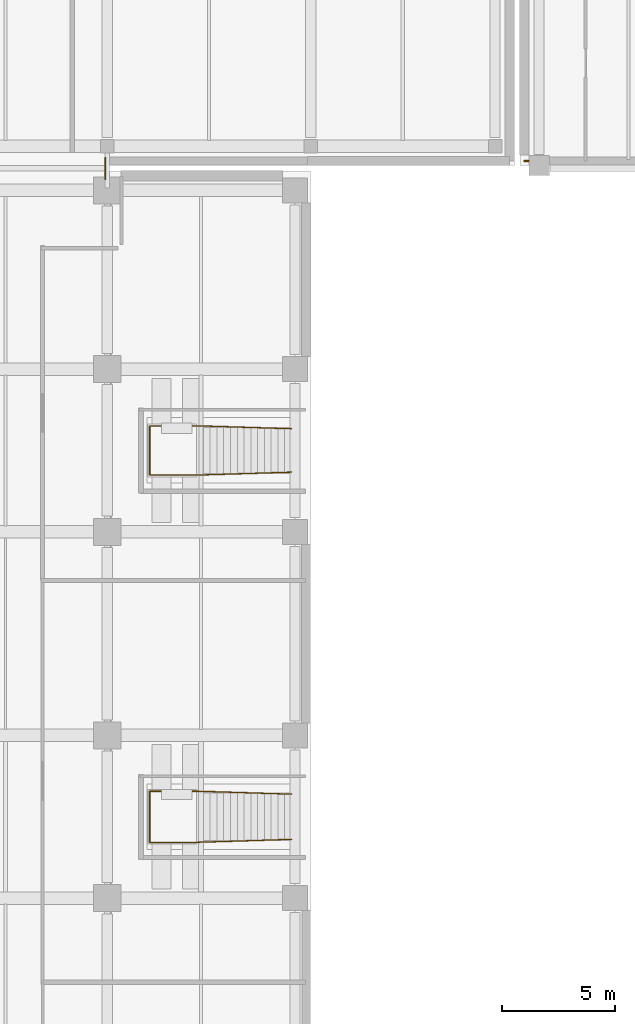
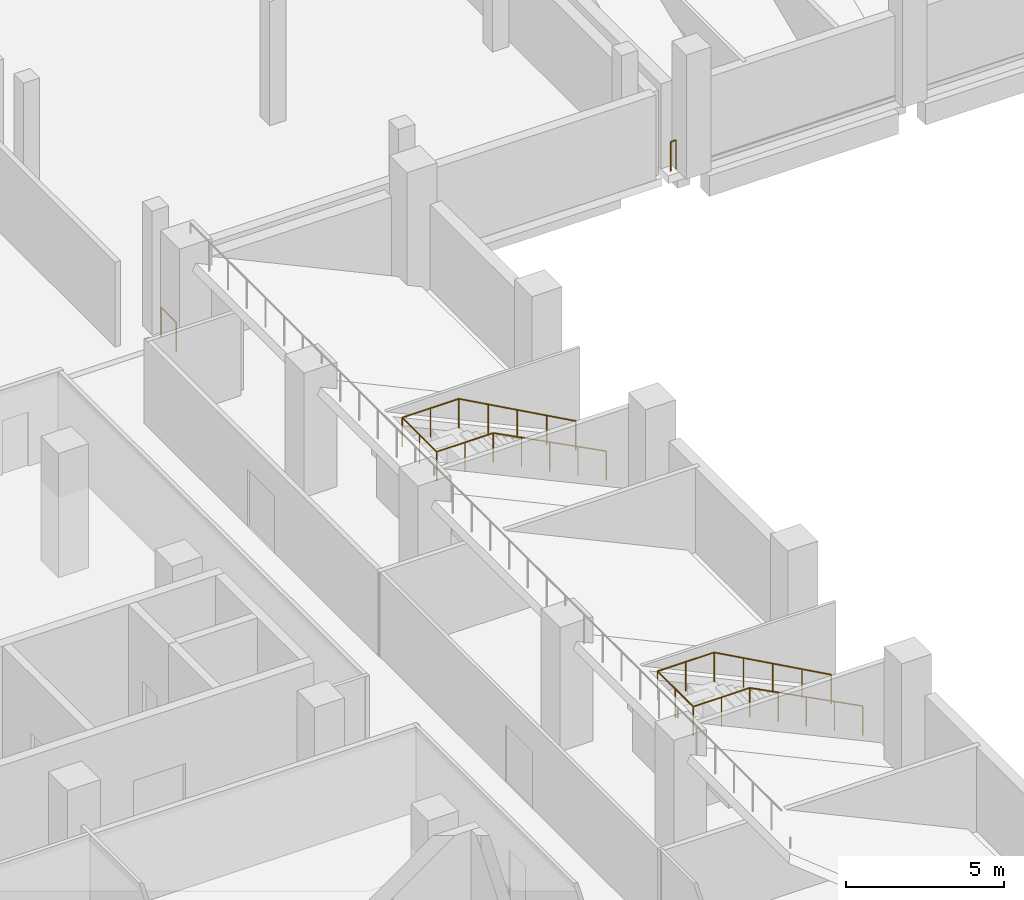
# One storey, part 84 of 100: 4 railings.
"""IFC4 building model written with IfcOpenShell, lengths in metres."""

from ifc_helpers import new_model, si_unit, direction, frame, origin, origin_2d, place, context, subcontext, project, spatial, circle, extrude, material, type_object, element, save


model = new_model("IFC4")

# Units and contexts
model_context = context("Model", 3, precision=1e-05, world=origin(), true_north=direction((0.0, 1.0)))
body_context = subcontext(model_context, "Body", "Model", "MODEL_VIEW")
ifc_project = project(units=[si_unit("LENGTHUNIT", "METRE"), si_unit("AREAUNIT", "SQUARE_METRE"), si_unit("VOLUMEUNIT", "CUBIC_METRE"), si_unit("PLANEANGLEUNIT", "RADIAN"), si_unit("MASSUNIT", "GRAM", prefix="KILO"), si_unit("THERMODYNAMICTEMPERATUREUNIT", "KELVIN"), si_unit("POWERUNIT", "WATT")], contexts=[model_context])

# Site, building, storey
site_placement = place(None, origin())
site = spatial("IfcSite", under=ifc_project, at=site_placement, CompositionType="ELEMENT")
building_placement = place(site_placement, origin())
building = spatial("IfcBuilding", under=site, at=building_placement, Name="Sindhuravela Promenade Stadium", CompositionType="ELEMENT")
storey_placement = place(building_placement, frame((0.0, 0.0, 4.800048828125)))
storey = spatial("IfcBuildingStorey", under=building, at=storey_placement, Name="L01", CompositionType="ELEMENT", Elevation=4.800048828125)

# Railings
ifc_material = material(Name="Architectural wrought steel E350", Category="steel")
railing_type = type_object("IfcRailingType", Name="RL-GRD-1150", PredefinedType="GUARDRAIL", material=ifc_material)
railing_1_placement = place(storey_placement, frame((54.64501953125, 126.199951171875, 0.0)))
element("IfcRailing", 1, at=railing_1_placement, inside=storey, type_object=railing_type, Name="Perimeter edge return guard NORTH L01", PredefinedType="GUARDRAIL", context=body_context, shape_type="SweptSolid", body=[
    extrude(circle(Radius=0.02392578125, at=origin_2d()), frame((0.0, 0.0, 1.1259765625), z_axis=(-1.0, 0.0, 0.0), x_axis=(0.0, -1.0, 0.0)), (0.0, 0.0, 1.0), 0.195068359375),
    extrude(circle(Radius=0.02099609375, at=origin_2d()), origin(), (0.0, 0.0, 1.0), 1.101806640625),
    extrude(circle(Radius=0.02099609375, at=origin_2d()), frame((-0.195068359375, 0.0, 0.0)), (0.0, 0.0, 1.0), 1.101806640625),
])
railing_2_placement = place(storey_placement, frame((35.919921875, 125.39990234375, 0.0)))
element("IfcRailing", 2, at=railing_2_placement, inside=storey, type_object=railing_type, Name="Bridge edge guardrail GR01-60", PredefinedType="GUARDRAIL", context=body_context, shape_type="SweptSolid", body=[
    extrude(circle(Radius=0.02392578125, at=origin_2d()), frame((0.0, 0.0, 1.1259765625), z_axis=(0.0, 1.0, 0.0), x_axis=(-1.0, 0.0, 0.0)), (0.0, 0.0, 1.0), 0.9501953125),
    extrude(circle(Radius=0.02099609375, at=origin_2d()), origin(), (0.0, 0.0, 1.0), 1.101806640625),
    extrude(circle(Radius=0.02099609375, at=origin_2d()), frame((0.0, 0.9501953125, 0.0)), (0.0, 0.0, 1.0), 1.101806640625),
])
railing_3_placement = place(storey_placement, frame((44.14990234375, 98.199951171875, 0.0)))
element("IfcRailing", 3, at=railing_3_placement, inside=storey, type_object=railing_type, Name="Vomitory VS03 flight & platform guard", PredefinedType="GUARDRAIL", context=body_context, shape_type="SweptSolid", body=[
    extrude(circle(Radius=0.02392578125, at=origin_2d()), frame((0.0, 0.0, 1.1259765625), z_axis=(-0.8811491305038108, 0.027300615390253514, 0.4720496649841958), x_axis=(-0.03096810782289172, -0.9995203731279667, 0.0)), (0.0, 0.0, 1.0), 4.766357421875),
    extrude(circle(Radius=0.02392578125, at=origin_2d()), frame((-4.199951171875, 0.130126953125, 3.3759765625), z_axis=(-1.0, 0.0, 0.0), x_axis=(0.0, -1.0, 0.0)), (0.0, 0.0, 1.0), 2.070068359375),
    extrude(circle(Radius=0.02392578125, at=origin_2d()), frame((-6.27001953125, 0.130126953125, 3.3759765625), z_axis=(0.0, -1.0, 0.0), x_axis=(1.0, 0.0, 0.0)), (0.0, 0.0, 1.0), 2.260009765625),
    extrude(circle(Radius=0.02392578125, at=origin_2d()), frame((-6.27001953125, -2.1298828125, 3.3759765625), z_axis=(1.0, 0.0, 0.0), x_axis=(0.0, 1.0, 0.0)), (0.0, 0.0, 1.0), 2.070068359375),
    extrude(circle(Radius=0.02392578125, at=origin_2d()), frame((-4.199951171875, -2.1298828125, 3.3759765625), z_axis=(0.8811503615104481, 0.02724943279216174, -0.47205032445970413), x_axis=(-0.030910061871442473, 0.9995221698767385, 0.0)), (0.0, 0.0, 1.0), 4.766357421875),
    extrude(circle(Radius=0.02099609375, at=origin_2d()), origin(), (0.0, 0.0, 1.0), 1.101806640625),
    extrude(circle(Radius=0.02099609375, at=origin_2d()), frame((-1.050048828125, 0.032470703125, 0.5625)), (0.0, 0.0, 1.0), 1.101806640625),
    extrude(circle(Radius=0.02099609375, at=origin_2d()), frame((-2.10009765625, 0.06494140625, 1.125)), (0.0, 0.0, 1.0), 1.101806640625),
    extrude(circle(Radius=0.02099609375, at=origin_2d()), frame((-3.14990234375, 0.09765625, 1.6875)), (0.0, 0.0, 1.0), 1.101806640625),
    extrude(circle(Radius=0.02099609375, at=origin_2d()), frame((-4.199951171875, 0.130126953125, 2.25)), (0.0, 0.0, 1.0), 1.101806640625),
    extrude(circle(Radius=0.02099609375, at=origin_2d()), frame((-5.23486328125, 0.130126953125, 2.25)), (0.0, 0.0, 1.0), 1.101806640625),
    extrude(circle(Radius=0.02099609375, at=origin_2d()), frame((-6.27001953125, 0.130126953125, 2.25)), (0.0, 0.0, 1.0), 1.101806640625),
    extrude(circle(Radius=0.02099609375, at=origin_2d()), frame((-6.27001953125, -1.0, 2.25)), (0.0, 0.0, 1.0), 1.101806640625),
    extrude(circle(Radius=0.02099609375, at=origin_2d()), frame((-6.27001953125, -2.1298828125, 2.25)), (0.0, 0.0, 1.0), 1.101806640625),
    extrude(circle(Radius=0.02099609375, at=origin_2d()), frame((-5.23486328125, -2.1298828125, 2.25)), (0.0, 0.0, 1.0), 1.101806640625),
    extrude(circle(Radius=0.02099609375, at=origin_2d()), frame((-4.199951171875, -2.1298828125, 2.25)), (0.0, 0.0, 1.0), 1.101806640625),
    extrude(circle(Radius=0.02099609375, at=origin_2d()), frame((-3.14990234375, -2.097412109375, 1.6875)), (0.0, 0.0, 1.0), 1.101806640625),
    extrude(circle(Radius=0.02099609375, at=origin_2d()), frame((-2.10009765625, -2.06494140625, 1.125)), (0.0, 0.0, 1.0), 1.101806640625),
    extrude(circle(Radius=0.02099609375, at=origin_2d()), frame((-1.050048828125, -2.032470703125, 0.5625)), (0.0, 0.0, 1.0), 1.101806640625),
    extrude(circle(Radius=0.02099609375, at=origin_2d()), frame((0.0, -2.0, 0.0)), (0.0, 0.0, 1.0), 1.101806640625),
])
railing_4_placement = place(storey_placement, frame((44.14990234375, 114.360107421875, 0.0)))
element("IfcRailing", 4, at=railing_4_placement, inside=storey, type_object=railing_type, Name="Vomitory VS04 flight & platform guard", PredefinedType="GUARDRAIL", context=body_context, shape_type="SweptSolid", body=[
    extrude(circle(Radius=0.02392578125, at=origin_2d()), frame((0.0, 0.0, 1.1259765625), z_axis=(-0.8811503615104481, 0.02724943279216174, 0.47205032445970413), x_axis=(-0.030910061871442473, -0.9995221698767385, 0.0)), (0.0, 0.0, 1.0), 4.766357421875),
    extrude(circle(Radius=0.02392578125, at=origin_2d()), frame((-4.199951171875, 0.1298828125, 3.3759765625), z_axis=(-1.0, 0.0, 0.0), x_axis=(0.0, -1.0, 0.0)), (0.0, 0.0, 1.0), 2.070068359375),
    extrude(circle(Radius=0.02392578125, at=origin_2d()), frame((-6.27001953125, 0.1298828125, 3.3759765625), z_axis=(0.0, -1.0, 0.0), x_axis=(1.0, 0.0, 0.0)), (0.0, 0.0, 1.0), 2.179931640625),
    extrude(circle(Radius=0.02392578125, at=origin_2d()), frame((-6.27001953125, -2.050048828125, 3.3759765625), z_axis=(1.0, 0.0, 0.0), x_axis=(0.0, 1.0, 0.0)), (0.0, 0.0, 1.0), 2.070068359375),
    extrude(circle(Radius=0.02392578125, at=origin_2d()), frame((-4.199951171875, -2.050048828125, 3.3759765625), z_axis=(0.8811503615104481, 0.02724943279216174, -0.47205032445970413), x_axis=(-0.030910061871442473, 0.9995221698767385, 0.0)), (0.0, 0.0, 1.0), 4.766357421875),
    extrude(circle(Radius=0.02099609375, at=origin_2d()), origin(), (0.0, 0.0, 1.0), 1.101806640625),
    extrude(circle(Radius=0.02099609375, at=origin_2d()), frame((-1.050048828125, 0.032470703125, 0.5625)), (0.0, 0.0, 1.0), 1.101806640625),
    extrude(circle(Radius=0.02099609375, at=origin_2d()), frame((-2.10009765625, 0.06494140625, 1.125)), (0.0, 0.0, 1.0), 1.101806640625),
    extrude(circle(Radius=0.02099609375, at=origin_2d()), frame((-3.14990234375, 0.097412109375, 1.6875)), (0.0, 0.0, 1.0), 1.101806640625),
    extrude(circle(Radius=0.02099609375, at=origin_2d()), frame((-4.199951171875, 0.1298828125, 2.25)), (0.0, 0.0, 1.0), 1.101806640625),
    extrude(circle(Radius=0.02099609375, at=origin_2d()), frame((-5.23486328125, 0.1298828125, 2.25)), (0.0, 0.0, 1.0), 1.101806640625),
    extrude(circle(Radius=0.02099609375, at=origin_2d()), frame((-6.27001953125, 0.1298828125, 2.25)), (0.0, 0.0, 1.0), 1.101806640625),
    extrude(circle(Radius=0.02099609375, at=origin_2d()), frame((-6.27001953125, -0.9599609375, 2.25)), (0.0, 0.0, 1.0), 1.101806640625),
    extrude(circle(Radius=0.02099609375, at=origin_2d()), frame((-6.27001953125, -2.050048828125, 2.25)), (0.0, 0.0, 1.0), 1.101806640625),
    extrude(circle(Radius=0.02099609375, at=origin_2d()), frame((-5.23486328125, -2.050048828125, 2.25)), (0.0, 0.0, 1.0), 1.101806640625),
    extrude(circle(Radius=0.02099609375, at=origin_2d()), frame((-4.199951171875, -2.050048828125, 2.25)), (0.0, 0.0, 1.0), 1.101806640625),
    extrude(circle(Radius=0.02099609375, at=origin_2d()), frame((-3.14990234375, -2.017578125, 1.6875)), (0.0, 0.0, 1.0), 1.101806640625),
    extrude(circle(Radius=0.02099609375, at=origin_2d()), frame((-2.10009765625, -1.985107421875, 1.125)), (0.0, 0.0, 1.0), 1.101806640625),
    extrude(circle(Radius=0.02099609375, at=origin_2d()), frame((-1.050048828125, -1.95263671875, 0.5625)), (0.0, 0.0, 1.0), 1.101806640625),
    extrude(circle(Radius=0.02099609375, at=origin_2d()), frame((0.0, -1.920166015625, 0.0)), (0.0, 0.0, 1.0), 1.101806640625),
])

save(model, "model.ifc")
